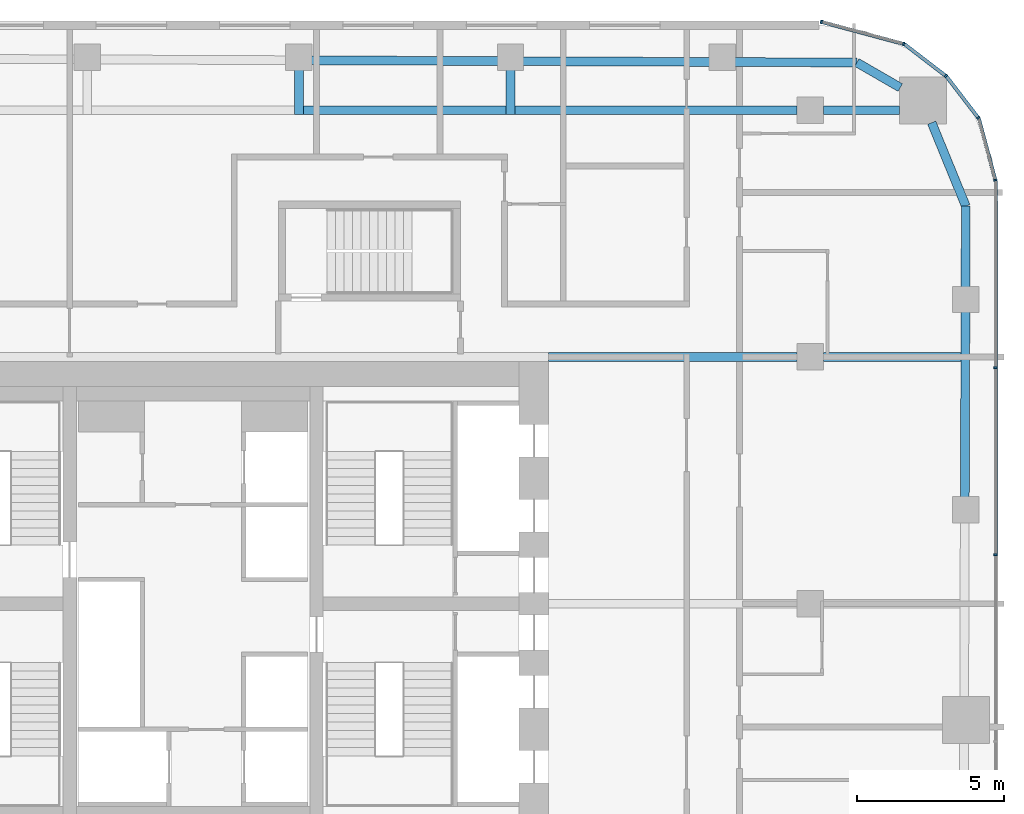
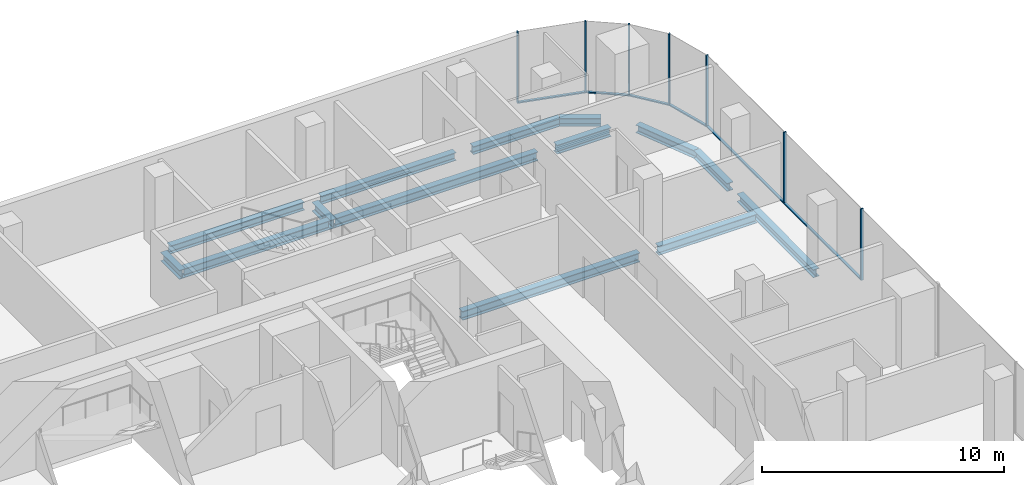
# One storey, part 11 of 23: 14 beams, 13 members, 5 elements without a shape of their own.
"""IFC4 building model written with IfcOpenShell, lengths in metres."""

from ifc_helpers import new_model, si_unit, direction, frame, origin, origin_2d, place, context, subcontext, project, spatial, rectangle, i_section, extrude, material, layer, layer_set, material_profile, profile_set, type_object, element, aggregate, save


model = new_model("IFC4")

# Units and contexts
model_context = context("Model", 3, precision=1e-05, world=origin(), true_north=direction((0.0, 1.0)))
body_context = subcontext(model_context, "Body", "Model", "MODEL_VIEW")
ifc_project = project(units=[si_unit("LENGTHUNIT", "METRE"), si_unit("AREAUNIT", "SQUARE_METRE"), si_unit("VOLUMEUNIT", "CUBIC_METRE"), si_unit("PLANEANGLEUNIT", "RADIAN"), si_unit("MASSUNIT", "GRAM", prefix="KILO")], contexts=[model_context])

# Site, building, storey
site_placement = place(None, origin())
site = spatial("IfcSite", under=ifc_project, at=site_placement, CompositionType="ELEMENT")
building_placement = place(site_placement, origin())
building = spatial("IfcBuilding", under=site, at=building_placement, Name="Marenta Gate Hotel Tower", CompositionType="ELEMENT")
storey_placement = place(building_placement, frame((0.0, 0.0, 155.300048828125)))
storey = spatial("IfcBuildingStorey", under=building, at=storey_placement, Name="L36", CompositionType="ELEMENT", Elevation=155.300048828125)

# Beams
ifc_material_1 = material(Name="Steel S355", Category="steel")
ifc_material_profile_1 = material_profile(ifc_material_1, i_section(OverallWidth=0.300048828125, OverallDepth=0.39990234375, WebThickness=0.013427734375, FlangeThickness=0.02392578125, FilletRadius=0.027099609375, at=origin_2d()), Name="HEB 400")
ifc_profile_set_1 = profile_set([ifc_material_profile_1], Name="Steel S355")
beam_type_1 = type_object("IfcBeamType", Name="Edge beam HEB 400", PredefinedType="SPANDREL", material=ifc_profile_set_1)
beam_1_placement = place(storey_placement, frame((4.011474609375, 26.89697265625, -0.4599609375), z_axis=(0.999991780119, -0.004054589324, 0.0), x_axis=(0.004054589324, 0.999991780119, 0.0)))
element("IfcBeam", 1, at=beam_1_placement, inside=storey, type_object=beam_type_1, Name="L36-EB-17", PredefinedType="SPANDREL", context=body_context, shape_type="SweptSolid", body=[
    extrude(i_section(OverallWidth=0.300048828125, OverallDepth=0.39990234375, WebThickness=0.013427734375, FlangeThickness=0.02392578125, FilletRadius=0.027099609375, at=origin_2d()), origin(), (0.0, 0.0, 1.0), 6.382568359375),
])
beam_2_placement = place(storey_placement, frame((11.214111328125, 26.86767578125, -0.4599609375), z_axis=(0.999991780748, -0.00405443424, 0.0), x_axis=(0.00405443424, 0.999991780748, 0.0)))
element("IfcBeam", 2, at=beam_2_placement, inside=storey, type_object=beam_type_1, Name="L36-EB-18", PredefinedType="SPANDREL", context=body_context, shape_type="SweptSolid", body=[
    extrude(i_section(OverallWidth=0.300048828125, OverallDepth=0.39990234375, WebThickness=0.013427734375, FlangeThickness=0.02392578125, FilletRadius=0.027099609375, at=origin_2d()), origin(), (0.0, 0.0, 1.0), 6.3828125),
])
beam_3_placement = place(storey_placement, frame((18.4169921875, 26.83837890625, -0.4599609375), z_axis=(0.999991621459, -0.004093532953, 0.0), x_axis=(0.004093532953, 0.999991621459, 0.0)))
element("IfcBeam", 3, at=beam_3_placement, inside=storey, type_object=beam_type_1, Name="L36-EB-19", PredefinedType="SPANDREL", context=body_context, shape_type="SweptSolid", body=[
    extrude(i_section(OverallWidth=0.300048828125, OverallDepth=0.39990234375, WebThickness=0.013427734375, FlangeThickness=0.02392578125, FilletRadius=0.027099609375, at=origin_2d()), origin(), (0.0, 0.0, 1.0), 4.1748046875),
])
beam_4_placement = place(storey_placement, frame((22.591796875, 26.8212890625, -0.4599609375), z_axis=(0.866016478054, -0.500015459501, 0.0), x_axis=(0.500015459501, 0.866016478054, 0.0)))
element("IfcBeam", 4, at=beam_4_placement, inside=storey, type_object=beam_type_1, Name="L36-EB-20", PredefinedType="SPANDREL", context=body_context, shape_type="SweptSolid", body=[
    extrude(i_section(OverallWidth=0.300048828125, OverallDepth=0.39990234375, WebThickness=0.013427734375, FlangeThickness=0.02392578125, FilletRadius=0.027099609375, at=origin_2d()), origin(), (0.0, 0.0, 1.0), 1.70703125),
])
beam_5_placement = place(storey_placement, frame((25.138916015625, 24.7724609375, -0.4599609375), z_axis=(0.378682450416, -0.925526661824, 0.0), x_axis=(0.925526661824, 0.378682450416, 0.0)))
element("IfcBeam", 5, at=beam_5_placement, inside=storey, type_object=beam_type_1, Name="L36-EB-21", PredefinedType="SPANDREL", context=body_context, shape_type="SweptSolid", body=[
    extrude(i_section(OverallWidth=0.300048828125, OverallDepth=0.39990234375, WebThickness=0.013427734375, FlangeThickness=0.02392578125, FilletRadius=0.027099609375, at=origin_2d()), origin(), (0.0, 0.0, 1.0), 3.066162109375),
])
beam_6_placement = place(storey_placement, frame((26.300048828125, 21.9345703125, -0.4599609375), z_axis=(-0.003351542298, -0.999994383566, 0.0), x_axis=(0.999994383566, -0.003351542298, 0.0)))
element("IfcBeam", 6, at=beam_6_placement, inside=storey, type_object=beam_type_1, Name="L36-EB-22", PredefinedType="SPANDREL", context=body_context, shape_type="SweptSolid", body=[
    extrude(i_section(OverallWidth=0.300048828125, OverallDepth=0.39990234375, WebThickness=0.013427734375, FlangeThickness=0.02392578125, FilletRadius=0.027099609375, at=origin_2d()), origin(), (0.0, 0.0, 1.0), 2.76806640625),
])
beam_7_placement = place(storey_placement, frame((26.2880859375, 18.346435546875, -0.4599609375), z_axis=(-0.00335374545, -0.99999437618, 0.0), x_axis=(0.99999437618, -0.00335374545, 0.0)))
element("IfcBeam", 7, at=beam_7_placement, inside=storey, type_object=beam_type_1, Name="L36-EB-23", PredefinedType="SPANDREL", context=body_context, shape_type="SweptSolid", body=[
    extrude(i_section(OverallWidth=0.300048828125, OverallDepth=0.39990234375, WebThickness=0.013427734375, FlangeThickness=0.02392578125, FilletRadius=0.027099609375, at=origin_2d()), origin(), (0.0, 0.0, 1.0), 6.333251953125),
])
ifc_material_2 = material(Name="Steel S355", Category="steel")
ifc_material_profile_2 = material_profile(ifc_material_2, i_section(OverallWidth=0.300048828125, OverallDepth=0.449951171875, WebThickness=0.013916015625, FlangeThickness=0.02587890625, FilletRadius=0.027099609375, at=origin_2d()), Name="HEB 450")
ifc_profile_set_2 = profile_set([ifc_material_profile_2], Name="Steel S355")
beam_type_2 = type_object("IfcBeamType", Name="Girder HEB 450", PredefinedType="BEAM", material=ifc_profile_set_2)
beam_8_placement = place(storey_placement, frame((12.10009765625, 16.800048828125, -0.485107421875), z_axis=(1.0, 0.0, 0.0), x_axis=(0.0, 1.0, 0.0)))
element("IfcBeam", 8, at=beam_8_placement, inside=storey, type_object=beam_type_2, Name="L36-GD-27", PredefinedType="BEAM", context=body_context, shape_type="SweptSolid", body=[
    extrude(i_section(OverallWidth=0.300048828125, OverallDepth=0.449951171875, WebThickness=0.013916015625, FlangeThickness=0.02587890625, FilletRadius=0.027099609375, at=origin_2d()), origin(), (0.0, 0.0, 1.0), 8.449951171875),
])
beam_9_placement = place(storey_placement, frame((21.449951171875, 16.800048828125, -0.485107421875), z_axis=(1.0, 0.0, 0.0), x_axis=(0.0, 1.0, 0.0)))
element("IfcBeam", 9, at=beam_9_placement, inside=storey, type_object=beam_type_2, Name="L36-GD-28", PredefinedType="BEAM", context=body_context, shape_type="SweptSolid", body=[
    extrude(i_section(OverallWidth=0.300048828125, OverallDepth=0.449951171875, WebThickness=0.013916015625, FlangeThickness=0.02587890625, FilletRadius=0.027099609375, at=origin_2d()), origin(), (0.0, 0.0, 1.0), 4.682861328125),
])
beam_10_placement = place(storey_placement, frame((3.75146484375, 25.199951171875, -0.485107421875), z_axis=(1.0, 0.0, 0.0), x_axis=(0.0, 1.0, 0.0)))
element("IfcBeam", 10, at=beam_10_placement, inside=storey, type_object=beam_type_2, Name="L36-GD-33", PredefinedType="BEAM", context=body_context, shape_type="SweptSolid", body=[
    extrude(i_section(OverallWidth=0.300048828125, OverallDepth=0.449951171875, WebThickness=0.013916015625, FlangeThickness=0.02587890625, FilletRadius=0.027099609375, at=origin_2d()), origin(), (0.0, 0.0, 1.0), 6.902587890625),
])
beam_11_placement = place(storey_placement, frame((10.9541015625, 25.199951171875, -0.485107421875), z_axis=(1.0, 0.0, 0.0), x_axis=(0.0, 1.0, 0.0)))
element("IfcBeam", 11, at=beam_11_placement, inside=storey, type_object=beam_type_2, Name="L36-GD-34", PredefinedType="BEAM", context=body_context, shape_type="SweptSolid", body=[
    extrude(i_section(OverallWidth=0.300048828125, OverallDepth=0.449951171875, WebThickness=0.013916015625, FlangeThickness=0.02587890625, FilletRadius=0.027099609375, at=origin_2d()), origin(), (0.0, 0.0, 1.0), 9.595947265625),
])
beam_12_placement = place(storey_placement, frame((21.449951171875, 25.199951171875, -0.485107421875), z_axis=(1.0, 0.0, 0.0), x_axis=(0.0, 1.0, 0.0)))
element("IfcBeam", 12, at=beam_12_placement, inside=storey, type_object=beam_type_2, Name="L36-GD-35", PredefinedType="BEAM", context=body_context, shape_type="SweptSolid", body=[
    extrude(i_section(OverallWidth=0.300048828125, OverallDepth=0.449951171875, WebThickness=0.013916015625, FlangeThickness=0.02587890625, FilletRadius=0.027099609375, at=origin_2d()), origin(), (0.0, 0.0, 1.0), 2.58544921875),
])
ifc_material_3 = material(Name="Steel S355", Category="steel")
ifc_material_profile_3 = material_profile(ifc_material_3, i_section(OverallWidth=0.300048828125, OverallDepth=0.449951171875, WebThickness=0.013916015625, FlangeThickness=0.02587890625, FilletRadius=0.027099609375, at=origin_2d()), Name="HEB 450")
ifc_profile_set_3 = profile_set([ifc_material_profile_3], Name="Steel S355")
beam_type_3 = type_object("IfcBeamType", Name="Girder bracket HEB 450", PredefinedType="BEAM", material=ifc_profile_set_3)
for number, where, z_axis, x_axis, name in (
    (13, (3.601318359375, 25.050048828125, -0.485107421875), (0.0, 1.0, 0.0), (-1.0, 0.0, 0.0), "L36-GS-3"),
    (14, (10.80419921875, 25.050048828125, -0.485107421875), (0.0, 1.0, 0.0), (-1.0, 0.0, 0.0), "L36-GS-4"),
):
    element("IfcBeam", number, at=place(storey_placement, frame(where, z_axis=z_axis, x_axis=x_axis)), inside=storey, type_object=beam_type_3, Name=name, PredefinedType="BEAM", context=body_context, shape_type="SweptSolid", body=[
        extrude(i_section(OverallWidth=0.300048828125, OverallDepth=0.449951171875, WebThickness=0.013916015625, FlangeThickness=0.02587890625, FilletRadius=0.027099609375, at=origin_2d()), origin(), (0.0, 0.0, 1.0), 1.5400390625),
    ])

# Curtain wall, members
ifc_material_4 = material(Name="Tinted insulated glass in bronze anodised frame", Category="glass")
ifc_layer = layer(ifc_material_4, 0.1201171875)
ifc_layer_set = layer_set([ifc_layer], Name="Tinted insulated glass in bronze anodised frame")
curtain_wall_type = type_object("IfcCurtainWallType", Name="Tower unitised curtain wall CW1", PredefinedType="NOTDEFINED", material=ifc_layer_set)
curtain_wall_1_placement = place(storey_placement, origin())
curtain_wall_1 = element("IfcCurtainWall", 15, at=curtain_wall_1_placement, inside=storey, type_object=curtain_wall_type, Name="CW1 run G11", PredefinedType="NOTDEFINED")
ifc_material_5 = material(Name="Bronze anodised aluminium", Category="aluminium")
ifc_material_profile_4 = material_profile(ifc_material_5, rectangle(XDim=0.1201171875, YDim=0.06005859375, at=origin_2d()), Name="Mullion CW1 60x120 bronze anodised aluminium")
ifc_profile_set_4 = profile_set([ifc_material_profile_4], Name="Bronze anodised aluminium")
member_type_1 = type_object("IfcMemberType", Name="Mullion CW1 60x120 bronze anodised aluminium", PredefinedType="MULLION", material=ifc_profile_set_4)
member_1_placement = place(storey_placement, frame((27.31396484375, 10.072021484375, 0.0), z_axis=(0.0, 0.0, 1.0), x_axis=(-1.0, 0.0, 0.0)))
member_1 = element("IfcMember", 16, at=member_1_placement, type_object=member_type_1, Name="CW1 mullion 5", PredefinedType="MULLION", context=body_context, shape_type="SweptSolid", body=[
    extrude(rectangle(XDim=0.1201171875, YDim=0.06005859375, at=origin_2d()), origin(), (0.0, 0.0, 1.0), 3.599853515625),
])
member_2_placement = place(storey_placement, frame((27.31396484375, 16.431884765625, 0.0), z_axis=(0.0, 0.0, 1.0), x_axis=(-1.0, 0.0, 0.0)))
member_2 = element("IfcMember", 17, at=member_2_placement, type_object=member_type_1, Name="CW1 mullion 6", PredefinedType="MULLION", context=body_context, shape_type="SweptSolid", body=[
    extrude(rectangle(XDim=0.1201171875, YDim=0.06005859375, at=origin_2d()), origin(), (0.0, 0.0, 1.0), 3.599853515625),
])

# Curtain wall, member
curtain_wall_2_placement = place(storey_placement, origin())
curtain_wall_2 = element("IfcCurtainWall", 18, at=curtain_wall_2_placement, inside=storey, type_object=curtain_wall_type, Name="CW1 run G12", PredefinedType="NOTDEFINED")
member_3_placement = place(storey_placement, frame((27.30615234375, 22.82080078125, 0.0), z_axis=(0.0, 0.0, 1.0), x_axis=(-0.965924859908, -0.258822651658, 0.0)))
member_3 = element("IfcMember", 19, at=member_3_placement, type_object=member_type_1, Name="CW1 mullion 1", PredefinedType="MULLION", context=body_context, shape_type="SweptSolid", body=[
    extrude(rectangle(XDim=0.1201171875, YDim=0.06005859375, at=origin_2d()), origin(), (0.0, 0.0, 1.0), 3.599853515625),
])

curtain_wall_3_placement = place(storey_placement, origin())
curtain_wall_3 = element("IfcCurtainWall", 20, at=curtain_wall_3_placement, inside=storey, type_object=curtain_wall_type, Name="CW1 run G13", PredefinedType="NOTDEFINED")
member_4_placement = place(storey_placement, frame((26.727783203125, 24.93505859375, 0.0), z_axis=(0.0, 0.0, 1.0), x_axis=(-0.793326722289, -0.608796116694, 0.0)))
member_4 = element("IfcMember", 21, at=member_4_placement, type_object=member_type_1, Name="CW1 mullion 1", PredefinedType="MULLION", context=body_context, shape_type="SweptSolid", body=[
    extrude(rectangle(XDim=0.1201171875, YDim=0.06005859375, at=origin_2d()), origin(), (0.0, 0.0, 1.0), 3.599853515625),
])

curtain_wall_4_placement = place(storey_placement, origin())
curtain_wall_4 = element("IfcCurtainWall", 22, at=curtain_wall_4_placement, inside=storey, type_object=curtain_wall_type, Name="CW1 run G14", PredefinedType="NOTDEFINED")
member_5_placement = place(storey_placement, frame((25.62158203125, 26.36376953125, 0.0), z_axis=(0.0, 0.0, 1.0), x_axis=(-0.608796116694, -0.793326722289, 0.0)))
member_5 = element("IfcMember", 23, at=member_5_placement, type_object=member_type_1, Name="CW1 mullion 1", PredefinedType="MULLION", context=body_context, shape_type="SweptSolid", body=[
    extrude(rectangle(XDim=0.1201171875, YDim=0.06005859375, at=origin_2d()), origin(), (0.0, 0.0, 1.0), 3.599853515625),
])

# Curtain wall, members
curtain_wall_5_placement = place(storey_placement, origin())
curtain_wall_5 = element("IfcCurtainWall", 24, at=curtain_wall_5_placement, inside=storey, type_object=curtain_wall_type, Name="CW1 run G15", PredefinedType="NOTDEFINED")
member_6_placement = place(storey_placement, frame((24.182373046875, 27.453857421875, 0.0), z_axis=(0.0, 0.0, 1.0), x_axis=(-0.258805989975, -0.965929324305, 0.0)))
member_6 = element("IfcMember", 25, at=member_6_placement, type_object=member_type_1, Name="CW1 mullion 1", PredefinedType="MULLION", context=body_context, shape_type="SweptSolid", body=[
    extrude(rectangle(XDim=0.1201171875, YDim=0.06005859375, at=origin_2d()), origin(), (0.0, 0.0, 1.0), 3.599853515625),
])
member_7_placement = place(storey_placement, frame((21.385498046875, 28.203125, 0.0), z_axis=(0.0, 0.0, 1.0), x_axis=(-0.258805989975, -0.965929324305, 0.0)))
member_7 = element("IfcMember", 26, at=member_7_placement, type_object=member_type_1, Name="CW1 mullion 2", PredefinedType="MULLION", context=body_context, shape_type="SweptSolid", body=[
    extrude(rectangle(XDim=0.1201171875, YDim=0.06005859375, at=origin_2d()), origin(), (0.0, 0.0, 1.0), 3.599853515625),
])

# Member
ifc_material_6 = material(Name="Bronze anodised aluminium", Category="aluminium")
ifc_material_profile_5 = material_profile(ifc_material_6, rectangle(XDim=0.1201171875, YDim=0.06005859375, at=origin_2d()), Name="Transom CW1 60x120 bronze anodised aluminium")
ifc_profile_set_5 = profile_set([ifc_material_profile_5], Name="Bronze anodised aluminium")
member_type_2 = type_object("IfcMemberType", Name="Transom CW1 60x120 bronze anodised aluminium", PredefinedType="USERDEFINED", material=ifc_profile_set_5)
member_8_placement = place(storey_placement, frame((27.31396484375, 10.10205078125, 0.030029296875), z_axis=(0.0, 1.0, 0.0), x_axis=(-1.0, 0.0, 0.0)))
member_8 = element("IfcMember", 27, at=member_8_placement, type_object=member_type_2, Name="CW1 transom 5.1", ObjectType="TRANSOM", PredefinedType="USERDEFINED", context=body_context, shape_type="SweptSolid", body=[
    extrude(rectangle(XDim=0.1201171875, YDim=0.06005859375, at=origin_2d()), origin(), (0.0, 0.0, 1.0), 6.2998046875),
])

member_9_placement = place(storey_placement, frame((27.31396484375, 16.4619140625, 0.030029296875), z_axis=(0.0, 1.0, 0.0), x_axis=(-1.0, 0.0, 0.0)))
member_9 = element("IfcMember", 28, at=member_9_placement, type_object=member_type_2, Name="CW1 transom 6.1", ObjectType="TRANSOM", PredefinedType="USERDEFINED", context=body_context, shape_type="SweptSolid", body=[
    extrude(rectangle(XDim=0.1201171875, YDim=0.06005859375, at=origin_2d()), origin(), (0.0, 0.0, 1.0), 6.330078125),
])

aggregate(curtain_wall_1, [member_1, member_2, member_8, member_9])

member_10_placement = place(storey_placement, frame((27.298583984375, 22.849853515625, 0.030029296875), z_axis=(-0.258865686882, 0.965913327455, 0.0), x_axis=(-0.965913327455, -0.258865686882, 0.0)))
member_10 = element("IfcMember", 29, at=member_10_placement, type_object=member_type_2, Name="CW1 transom 1.1", ObjectType="TRANSOM", PredefinedType="USERDEFINED", context=body_context, shape_type="SweptSolid", body=[
    extrude(rectangle(XDim=0.1201171875, YDim=0.06005859375, at=origin_2d()), origin(), (0.0, 0.0, 1.0), 2.13427734375),
])

aggregate(curtain_wall_2, [member_3, member_10])

member_11_placement = place(storey_placement, frame((26.70947265625, 24.958984375, 0.030029296875), z_axis=(-0.608792205599, 0.793329723634, 0.0), x_axis=(-0.793329723634, -0.608792205599, 0.0)))
member_11 = element("IfcMember", 30, at=member_11_placement, type_object=member_type_2, Name="CW1 transom 1.1", ObjectType="TRANSOM", PredefinedType="USERDEFINED", context=body_context, shape_type="SweptSolid", body=[
    extrude(rectangle(XDim=0.1201171875, YDim=0.06005859375, at=origin_2d()), origin(), (0.0, 0.0, 1.0), 1.74755859375),
])

aggregate(curtain_wall_3, [member_4, member_11])

member_12_placement = place(storey_placement, frame((25.597900390625, 26.382080078125, 0.030029296875), z_axis=(-0.793381490019, 0.608724741814, 0.0), x_axis=(-0.608724741814, -0.793381490019, 0.0)))
member_12 = element("IfcMember", 31, at=member_12_placement, type_object=member_type_2, Name="CW1 transom 1.1", ObjectType="TRANSOM", PredefinedType="USERDEFINED", context=body_context, shape_type="SweptSolid", body=[
    extrude(rectangle(XDim=0.1201171875, YDim=0.06005859375, at=origin_2d()), origin(), (0.0, 0.0, 1.0), 1.747802734375),
])

aggregate(curtain_wall_4, [member_5, member_12])

member_13_placement = place(storey_placement, frame((24.1533203125, 27.461669921875, 0.030029296875), z_axis=(-0.965922684272, 0.258830770986, 0.0), x_axis=(-0.258830770986, -0.965922684272, 0.0)))
member_13 = element("IfcMember", 32, at=member_13_placement, type_object=member_type_2, Name="CW1 transom 1.1", ObjectType="TRANSOM", PredefinedType="USERDEFINED", context=body_context, shape_type="SweptSolid", body=[
    extrude(rectangle(XDim=0.1201171875, YDim=0.06005859375, at=origin_2d()), origin(), (0.0, 0.0, 1.0), 2.83544921875),
])

aggregate(curtain_wall_5, [member_6, member_7, member_13])

save(model, "model.ifc")
